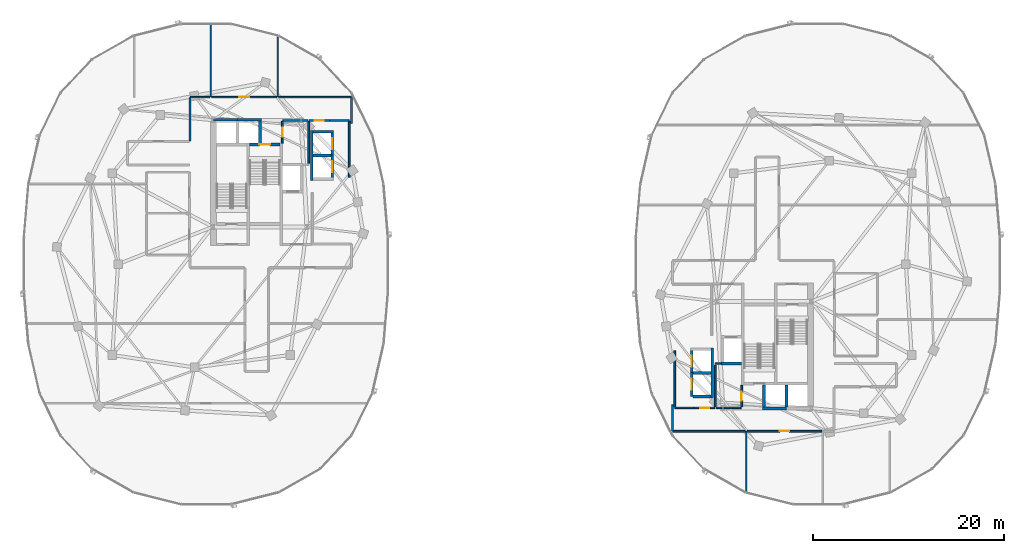
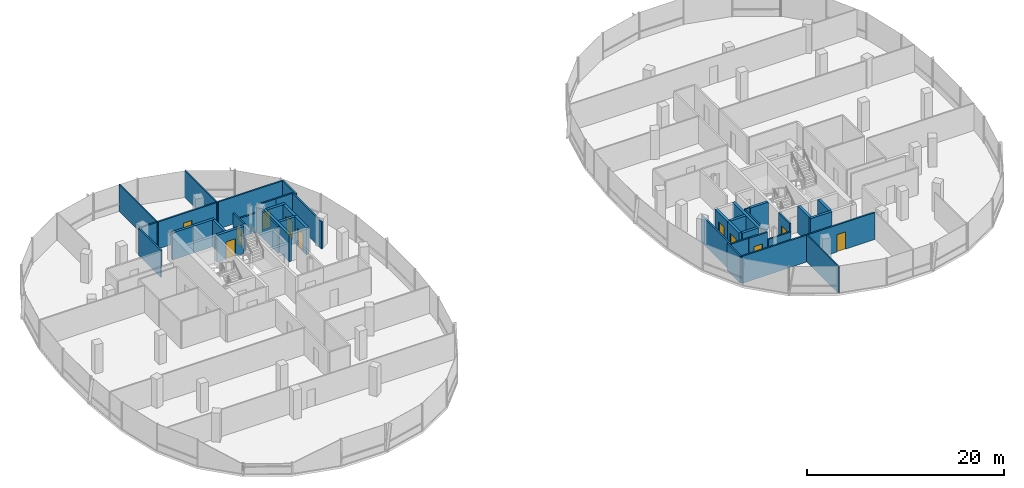
# One storey, part 16 of 25: 42 walls, 11 doors, 11 openings.
"""IFC4 building model written with IfcOpenShell, lengths in metres."""

from ifc_helpers import new_model, si_unit, direction, frame, frame_2d, origin, place, context, subcontext, project, spatial, rectangle, extrude, material, layer, layer_set, type_object, element, fill, save


model = new_model("IFC4")

# Units and contexts
model_context = context("Model", 3, precision=1e-05, world=origin(), true_north=direction((0.0, 1.0)))
body_context = subcontext(model_context, "Body", "Model", "MODEL_VIEW")
ifc_project = project(units=[si_unit("LENGTHUNIT", "METRE"), si_unit("AREAUNIT", "SQUARE_METRE"), si_unit("VOLUMEUNIT", "CUBIC_METRE"), si_unit("PLANEANGLEUNIT", "RADIAN"), si_unit("MASSUNIT", "GRAM", prefix="KILO"), si_unit("THERMODYNAMICTEMPERATUREUNIT", "KELVIN"), si_unit("POWERUNIT", "WATT")], contexts=[model_context])

# Site, building, storey
site_placement = place(None, origin())
site = spatial("IfcSite", under=ifc_project, at=site_placement, CompositionType="ELEMENT")
building_placement = place(site_placement, origin())
building = spatial("IfcBuilding", under=site, at=building_placement, Name="Cundina Bronze Exchange", CompositionType="ELEMENT")
storey_placement = place(building_placement, frame((0.0, 0.0, 224.199951171875)))
storey = spatial("IfcBuildingStorey", under=building, at=storey_placement, Name="L59", CompositionType="ELEMENT", Elevation=224.199951171875)

# Wall
ifc_material_1 = material(Name="Gypsum Fireboard Partition EI120")
ifc_layer_1 = layer(ifc_material_1, 0.179931640625, Name="Gypsum Fireboard Partition EI120")
ifc_layer_set_1 = layer_set([ifc_layer_1], Name="Gypsum Fireboard Partition EI120")
wall_type_1 = type_object("IfcWallType", Name="WL-COR-180", PredefinedType="PARTITIONING", material=ifc_layer_set_1)
wall_1_placement = place(storey_placement, frame((-17.02001953125, 9.070068359375, 0.0), z_axis=(0.0, 0.0, 1.0), x_axis=(0.0, 1.0, 0.0)))
element("IfcWall", 1, at=wall_1_placement, inside=storey, type_object=wall_type_1, Name="L59 Interior Partition 001", PredefinedType="PARTITIONING", context=body_context, shape_type="SweptSolid", body=[
    extrude(rectangle(XDim=5.85986328125, YDim=0.179931640625, at=frame_2d((2.929931640625, 0.0))), origin(), (0.0, 0.0, 1.0), 3.340087890625),
])

# Wall, opening, door
wall_2_placement = place(storey_placement, frame((-21.22998046875, 15.030029296875, 0.0), z_axis=(0.0, 0.0, 1.0), x_axis=(1.0, 0.0, 0.0)))
wall_2 = element("IfcWall", 2, at=wall_2_placement, inside=storey, type_object=wall_type_1, Name="L59 Interior Partition 002", PredefinedType="PARTITIONING", context=body_context, shape_type="SweptSolid", body=[
    extrude(rectangle(XDim=2.159912109375, YDim=0.179931640625, at=frame_2d((1.080078125, 0.0))), origin(), (0.0, 0.0, 1.0), 3.340087890625),
])
opening_1_placement = place(wall_2_placement, frame((0.60498046875, 0.0, 0.0)))
opening_1 = element("IfcOpeningElement", 3, at=opening_1_placement, cuts=wall_2, Name="Opening DW-01", PredefinedType="OPENING", context=body_context, shape_type="SweptSolid", body=[
    extrude(rectangle(XDim=0.949951171875, YDim=2.10009765625, at=frame_2d((0.47509765625, 1.050048828125))), frame((0.0, 0.099853515625, 0.0), z_axis=(0.0, -1.0, 0.0), x_axis=(1.0, 0.0, 0.0)), (0.0, 0.0, 1.0), 0.199951171875),
])
ifc_material_2 = material(Name="Solid Andean Oak Timber Grade A", Category="wood")
door_type_1 = type_object("IfcDoorType", Name="DR-WC-950", OperationType="NOTDEFINED", PredefinedType="DOOR", material=ifc_material_2)
door_1_placement = place(opening_1_placement, origin())
door_1 = element("IfcDoor", 4, at=door_1_placement, inside=storey, type_object=door_type_1, Name="L59 Interior Door 002", OperationType="SINGLE_SWING_LEFT", OverallHeight=2.10009765625, OverallWidth=0.949951171875, PredefinedType="DOOR", context=body_context, shape_type="SweptSolid", body=[
    extrude(rectangle(XDim=0.949951171875, YDim=2.10009765625, at=frame_2d((0.47509765625, 1.050048828125))), frame((0.0, 0.02490234375, 0.0), z_axis=(0.0, -1.0, 0.0), x_axis=(1.0, 0.0, 0.0)), (0.0, 0.0, 1.0), 0.050048828125),
])
fill(opening_1, door_1)

# Walls
wall_3_placement = place(storey_placement, frame((-19.030029296875, 15.030029296875, 0.0), z_axis=(0.0, 0.0, 1.0), x_axis=(1.0, 0.0, 0.0)))
element("IfcWall", 5, at=wall_3_placement, inside=storey, type_object=wall_type_1, Name="L59 Interior Partition 003", PredefinedType="PARTITIONING", context=body_context, shape_type="SweptSolid", body=[
    extrude(rectangle(XDim=1.989990234375, YDim=0.179931640625, at=frame_2d((0.9951171875, 0.0))), origin(), (0.0, 0.0, 1.0), 3.340087890625),
])
wall_4_placement = place(storey_placement, frame((-21.25, 10.570068359375, 0.0), z_axis=(0.0, 0.0, 1.0), x_axis=(0.0, 1.0, 0.0)))
element("IfcWall", 6, at=wall_4_placement, inside=storey, type_object=wall_type_1, Name="L59 Interior Partition 005", PredefinedType="PARTITIONING", context=body_context, shape_type="SweptSolid", body=[
    extrude(rectangle(XDim=4.35986328125, YDim=0.179931640625, at=frame_2d((2.179931640625, 0.0))), origin(), (0.0, 0.0, 1.0), 3.340087890625),
])
wall_5_placement = place(storey_placement, frame((-23.9599609375, 15.030029296875, 0.0), z_axis=(0.0, 0.0, 1.0), x_axis=(1.0, 0.0, 0.0)))
element("IfcWall", 7, at=wall_5_placement, inside=storey, type_object=wall_type_1, Name="L59 Interior Partition 006", PredefinedType="PARTITIONING", context=body_context, shape_type="SweptSolid", body=[
    extrude(rectangle(XDim=2.60986328125, YDim=0.179931640625, at=frame_2d((1.304931640625, 0.0))), origin(), (0.0, 0.0, 1.0), 2.4130859375),
])

# Wall, opening, door
wall_6_placement = place(storey_placement, frame((-24.02001953125, 12.669921875, 0.0), z_axis=(0.0, 0.0, 1.0), x_axis=(0.0, 1.0, 0.0)))
wall_6 = element("IfcWall", 8, at=wall_6_placement, inside=storey, type_object=wall_type_1, Name="L59 Interior Partition 007", PredefinedType="PARTITIONING", context=body_context, shape_type="SweptSolid", body=[
    extrude(rectangle(XDim=2.260009765625, YDim=0.179931640625, at=frame_2d((1.1298828125, 0.0))), origin(), (0.0, 0.0, 1.0), 3.340087890625),
])
opening_2_placement = place(wall_6_placement, frame((0.655029296875, 0.0, 0.0)))
opening_2 = element("IfcOpeningElement", 9, at=opening_2_placement, cuts=wall_6, Name="Opening DW-01", PredefinedType="OPENING", context=body_context, shape_type="SweptSolid", body=[
    extrude(rectangle(XDim=0.949951171875, YDim=2.10009765625, at=frame_2d((0.47509765625, 1.050048828125))), frame((0.0, 0.099853515625, 0.0), z_axis=(0.0, -1.0, 0.0), x_axis=(1.0, 0.0, 0.0)), (0.0, 0.0, 1.0), 0.199951171875),
])
door_2_placement = place(opening_2_placement, origin())
door_2 = element("IfcDoor", 10, at=door_2_placement, inside=storey, type_object=door_type_1, Name="L59 Interior Door 007", OperationType="SINGLE_SWING_LEFT", OverallHeight=2.10009765625, OverallWidth=0.949951171875, PredefinedType="DOOR", context=body_context, shape_type="SweptSolid", body=[
    extrude(rectangle(XDim=0.949951171875, YDim=2.10009765625, at=frame_2d((0.47509765625, 1.050048828125))), frame((0.0, 0.02490234375, 0.0), z_axis=(0.0, -1.0, 0.0), x_axis=(1.0, 0.0, 0.0)), (0.0, 0.0, 1.0), 0.050048828125),
])
fill(opening_2, door_2)

# Walls
wall_7_placement = place(storey_placement, frame((-16.821533203125, 17.469970703125, 0.0), z_axis=(0.0, 0.0, 1.0), x_axis=(-1.0, 0.0, 0.0)))
element("IfcWall", 11, at=wall_7_placement, inside=storey, type_object=wall_type_1, Name="L59 Interior Partition 029", PredefinedType="PARTITIONING", context=body_context, shape_type="SweptSolid", body=[
    extrude(rectangle(XDim=7.58837890625, YDim=0.179931640625, at=frame_2d((3.794189453125, 0.0))), origin(), (0.0, 0.0, 1.0), 3.340087890625),
])
wall_8_placement = place(storey_placement, frame((-16.780029296875, 14.721435546875, 0.0), z_axis=(0.0, 0.0, 1.0), x_axis=(0.0, 1.0, 0.0)))
element("IfcWall", 12, at=wall_8_placement, inside=storey, type_object=wall_type_1, Name="L59 Interior Partition 032", PredefinedType="PARTITIONING", context=body_context, shape_type="SweptSolid", body=[
    extrude(rectangle(XDim=2.70703125, YDim=0.179931640625, at=frame_2d((1.353515625, 0.0))), origin(), (0.0, 0.0, 1.0), 3.340087890625),
])
wall_9_placement = place(storey_placement, frame((-33.669921875, 17.428466796875, 0.0), z_axis=(0.0, 0.0, 1.0), x_axis=(0.0, -1.0, 0.0)))
element("IfcWall", 13, at=wall_9_placement, inside=storey, type_object=wall_type_1, Name="L59 Interior Partition 036", PredefinedType="PARTITIONING", context=body_context, shape_type="SweptSolid", body=[
    extrude(rectangle(XDim=4.528564453125, YDim=0.179931640625, at=frame_2d((2.26416015625, 0.0))), origin(), (0.0, 0.0, 1.0), 3.340087890625),
])
wall_10_placement = place(storey_placement, frame((-31.590087890625, 17.469970703125, 0.0), z_axis=(0.0, 0.0, 1.0), x_axis=(-1.0, 0.0, 0.0)))
element("IfcWall", 14, at=wall_10_placement, inside=storey, type_object=wall_type_1, Name="L59 Interior Partition 038", PredefinedType="PARTITIONING", context=body_context, shape_type="SweptSolid", body=[
    extrude(rectangle(XDim=2.038330078125, YDim=0.179931640625, at=frame_2d((1.01904296875, 0.0))), origin(), (0.0, 0.0, 1.0), 3.340087890625),
])

# Wall, opening, door
wall_11_placement = place(storey_placement, frame((-24.590087890625, 17.469970703125, 0.0), z_axis=(0.0, 0.0, 1.0), x_axis=(-1.0, 0.0, 0.0)))
wall_11 = element("IfcWall", 15, at=wall_11_placement, inside=storey, type_object=wall_type_1, Name="L59 Interior Partition 039", PredefinedType="PARTITIONING", context=body_context, shape_type="SweptSolid", body=[
    extrude(rectangle(XDim=6.81982421875, YDim=0.179931640625, at=frame_2d((3.409912109375, 0.0))), origin(), (0.0, 0.0, 1.0), 3.340087890625),
])
opening_3_placement = place(wall_11_placement, frame((2.909912109375, 0.0, 0.0)))
opening_3 = element("IfcOpeningElement", 16, at=opening_3_placement, cuts=wall_11, Name="Opening DO-01", PredefinedType="OPENING", context=body_context, shape_type="SweptSolid", body=[
    extrude(rectangle(XDim=1.0, YDim=2.14990234375, at=frame_2d((0.5, 1.074951171875))), frame((0.0, 0.099853515625, 0.0), z_axis=(0.0, -1.0, 0.0), x_axis=(1.0, 0.0, 0.0)), (0.0, 0.0, 1.0), 0.199951171875),
])
door_type_2 = type_object("IfcDoorType", Name="DR-OFF-1000", OperationType="NOTDEFINED", PredefinedType="DOOR", material=ifc_material_2)
door_3_placement = place(opening_3_placement, origin())
door_3 = element("IfcDoor", 17, at=door_3_placement, inside=storey, type_object=door_type_2, Name="L59 Interior Door 039", OperationType="SINGLE_SWING_RIGHT", OverallHeight=2.14990234375, OverallWidth=1.0, PredefinedType="DOOR", context=body_context, shape_type="SweptSolid", body=[
    extrude(rectangle(XDim=1.0, YDim=2.14990234375, at=frame_2d((0.5, 1.074951171875))), frame((0.0, 0.02490234375, 0.0), z_axis=(0.0, -1.0, 0.0), x_axis=(1.0, 0.0, 0.0)), (0.0, 0.0, 1.0), 0.050048828125),
])
fill(opening_3, door_3)

# Walls
wall_12_placement = place(storey_placement, frame((17.02001953125, -14.929931640625, 0.0), z_axis=(0.0, 0.0, 1.0), x_axis=(0.0, 1.0, 0.0)))
element("IfcWall", 18, at=wall_12_placement, inside=storey, type_object=wall_type_1, Name="L59 Interior Partition 041", PredefinedType="PARTITIONING", context=body_context, shape_type="SweptSolid", body=[
    extrude(rectangle(XDim=5.85986328125, YDim=0.179931640625, at=frame_2d((2.929931640625, 0.0))), origin(), (0.0, 0.0, 1.0), 3.340087890625),
])
wall_13_placement = place(storey_placement, frame((17.0400390625, -15.030029296875, 0.0), z_axis=(0.0, 0.0, 1.0), x_axis=(1.0, 0.0, 0.0)))
element("IfcWall", 19, at=wall_13_placement, inside=storey, type_object=wall_type_1, Name="L59 Interior Partition 042", PredefinedType="PARTITIONING", context=body_context, shape_type="SweptSolid", body=[
    extrude(rectangle(XDim=1.989990234375, YDim=0.179931640625, at=frame_2d((0.9951171875, 0.0))), origin(), (0.0, 0.0, 1.0), 3.340087890625),
])

# Wall, opening, door
wall_14_placement = place(storey_placement, frame((21.22998046875, -15.030029296875, 0.0), z_axis=(0.0, 0.0, 1.0), x_axis=(-1.0, 0.0, 0.0)))
wall_14 = element("IfcWall", 20, at=wall_14_placement, inside=storey, type_object=wall_type_1, Name="L59 Interior Partition 043", PredefinedType="PARTITIONING", context=body_context, shape_type="SweptSolid", body=[
    extrude(rectangle(XDim=2.159912109375, YDim=0.179931640625, at=frame_2d((1.080078125, 0.0))), origin(), (0.0, 0.0, 1.0), 3.340087890625),
])
opening_4_placement = place(wall_14_placement, frame((0.60498046875, 0.0, 0.0)))
opening_4 = element("IfcOpeningElement", 21, at=opening_4_placement, cuts=wall_14, Name="Opening DW-01", PredefinedType="OPENING", context=body_context, shape_type="SweptSolid", body=[
    extrude(rectangle(XDim=0.949951171875, YDim=2.10009765625, at=frame_2d((0.47509765625, 1.050048828125))), frame((0.0, 0.099853515625, 0.0), z_axis=(0.0, -1.0, 0.0), x_axis=(1.0, 0.0, 0.0)), (0.0, 0.0, 1.0), 0.199951171875),
])
door_4_placement = place(opening_4_placement, origin())
door_4 = element("IfcDoor", 22, at=door_4_placement, inside=storey, type_object=door_type_1, Name="L59 Interior Door 043", OperationType="SINGLE_SWING_RIGHT", OverallHeight=2.10009765625, OverallWidth=0.949951171875, PredefinedType="DOOR", context=body_context, shape_type="SweptSolid", body=[
    extrude(rectangle(XDim=0.949951171875, YDim=2.10009765625, at=frame_2d((0.47509765625, 1.050048828125))), frame((0.0, 0.02490234375, 0.0), z_axis=(0.0, -1.0, 0.0), x_axis=(1.0, 0.0, 0.0)), (0.0, 0.0, 1.0), 0.050048828125),
])
fill(opening_4, door_4)

# Walls
wall_15_placement = place(storey_placement, frame((21.25, -14.929931640625, 0.0), z_axis=(0.0, 0.0, 1.0), x_axis=(0.0, 1.0, 0.0)))
element("IfcWall", 23, at=wall_15_placement, inside=storey, type_object=wall_type_1, Name="L59 Interior Partition 045", PredefinedType="PARTITIONING", context=body_context, shape_type="SweptSolid", body=[
    extrude(rectangle(XDim=4.35986328125, YDim=0.179931640625, at=frame_2d((2.179931640625, 0.0))), origin(), (0.0, 0.0, 1.0), 3.340087890625),
])
wall_16_placement = place(storey_placement, frame((21.35009765625, -15.030029296875, 0.0), z_axis=(0.0, 0.0, 1.0), x_axis=(1.0, 0.0, 0.0)))
element("IfcWall", 24, at=wall_16_placement, inside=storey, type_object=wall_type_1, Name="L59 Interior Partition 046", PredefinedType="PARTITIONING", context=body_context, shape_type="SweptSolid", body=[
    extrude(rectangle(XDim=2.60986328125, YDim=0.179931640625, at=frame_2d((1.304931640625, 0.0))), origin(), (0.0, 0.0, 1.0), 2.4130859375),
])

# Wall, opening, door
wall_17_placement = place(storey_placement, frame((24.02001953125, -14.929931640625, 0.0), z_axis=(0.0, 0.0, 1.0), x_axis=(0.0, 1.0, 0.0)))
wall_17 = element("IfcWall", 25, at=wall_17_placement, inside=storey, type_object=wall_type_1, Name="L59 Interior Partition 047", PredefinedType="PARTITIONING", context=body_context, shape_type="SweptSolid", body=[
    extrude(rectangle(XDim=2.260009765625, YDim=0.179931640625, at=frame_2d((1.1298828125, 0.0))), origin(), (0.0, 0.0, 1.0), 3.340087890625),
])
opening_5_placement = place(wall_17_placement, frame((0.655029296875, 0.0, 0.0)))
opening_5 = element("IfcOpeningElement", 26, at=opening_5_placement, cuts=wall_17, Name="Opening DW-01", PredefinedType="OPENING", context=body_context, shape_type="SweptSolid", body=[
    extrude(rectangle(XDim=0.949951171875, YDim=2.10009765625, at=frame_2d((0.47509765625, 1.050048828125))), frame((0.0, 0.099853515625, 0.0), z_axis=(0.0, -1.0, 0.0), x_axis=(1.0, 0.0, 0.0)), (0.0, 0.0, 1.0), 0.199951171875),
])
door_5_placement = place(opening_5_placement, origin())
door_5 = element("IfcDoor", 27, at=door_5_placement, inside=storey, type_object=door_type_1, Name="L59 Interior Door 047", OperationType="SINGLE_SWING_RIGHT", OverallHeight=2.10009765625, OverallWidth=0.949951171875, PredefinedType="DOOR", context=body_context, shape_type="SweptSolid", body=[
    extrude(rectangle(XDim=0.949951171875, YDim=2.10009765625, at=frame_2d((0.47509765625, 1.050048828125))), frame((0.0, 0.02490234375, 0.0), z_axis=(0.0, -1.0, 0.0), x_axis=(1.0, 0.0, 0.0)), (0.0, 0.0, 1.0), 0.050048828125),
])
fill(opening_5, door_5)

wall_18_placement = place(storey_placement, frame((24.590087890625, -17.469970703125, 0.0), z_axis=(0.0, 0.0, 1.0), x_axis=(1.0, 0.0, 0.0)))
wall_18 = element("IfcWall", 28, at=wall_18_placement, inside=storey, type_object=wall_type_1, Name="L59 Interior Partition 061", PredefinedType="PARTITIONING", context=body_context, shape_type="SweptSolid", body=[
    extrude(rectangle(XDim=7.81982421875, YDim=0.179931640625, at=frame_2d((3.909912109375, 0.0))), origin(), (0.0, 0.0, 1.0), 3.340087890625),
])
opening_6_placement = place(wall_18_placement, frame((3.409912109375, 0.0, 0.0)))
opening_6 = element("IfcOpeningElement", 29, at=opening_6_placement, cuts=wall_18, Name="Opening DO-01", PredefinedType="OPENING", context=body_context, shape_type="SweptSolid", body=[
    extrude(rectangle(XDim=1.0, YDim=2.14990234375, at=frame_2d((0.5, 1.074951171875))), frame((0.0, 0.099853515625, 0.0), z_axis=(0.0, -1.0, 0.0), x_axis=(1.0, 0.0, 0.0)), (0.0, 0.0, 1.0), 0.199951171875),
])
door_6_placement = place(opening_6_placement, origin())
door_6 = element("IfcDoor", 30, at=door_6_placement, inside=storey, type_object=door_type_2, Name="L59 Interior Door 061", OperationType="SINGLE_SWING_LEFT", OverallHeight=2.14990234375, OverallWidth=1.0, PredefinedType="DOOR", context=body_context, shape_type="SweptSolid", body=[
    extrude(rectangle(XDim=1.0, YDim=2.14990234375, at=frame_2d((0.5, 1.074951171875))), frame((0.0, 0.02490234375, 0.0), z_axis=(0.0, -1.0, 0.0), x_axis=(1.0, 0.0, 0.0)), (0.0, 0.0, 1.0), 0.050048828125),
])
fill(opening_6, door_6)

# Walls
wall_19_placement = place(storey_placement, frame((16.821533203125, -17.469970703125, 0.0), z_axis=(0.0, 0.0, 1.0), x_axis=(1.0, 0.0, 0.0)))
element("IfcWall", 31, at=wall_19_placement, inside=storey, type_object=wall_type_1, Name="L59 Interior Partition 068", PredefinedType="PARTITIONING", context=body_context, shape_type="SweptSolid", body=[
    extrude(rectangle(XDim=7.58837890625, YDim=0.179931640625, at=frame_2d((3.794189453125, 0.0))), origin(), (0.0, 0.0, 1.0), 3.340087890625),
])
wall_20_placement = place(storey_placement, frame((16.780029296875, -14.721435546875, 0.0), z_axis=(0.0, 0.0, 1.0), x_axis=(0.0, -1.0, 0.0)))
element("IfcWall", 32, at=wall_20_placement, inside=storey, type_object=wall_type_1, Name="L59 Interior Partition 071", PredefinedType="PARTITIONING", context=body_context, shape_type="SweptSolid", body=[
    extrude(rectangle(XDim=2.70703125, YDim=0.179931640625, at=frame_2d((1.353515625, 0.0))), origin(), (0.0, 0.0, 1.0), 3.340087890625),
])
ifc_material_3 = material(Name="Gypsum Acoustic Partition EI60")
ifc_layer_2 = layer(ifc_material_3, 0.125, Name="Gypsum Acoustic Partition EI60")
ifc_layer_set_2 = layer_set([ifc_layer_2], Name="Gypsum Acoustic Partition EI60")
wall_type_2 = type_object("IfcWallType", Name="WL-OFF-125", PredefinedType="PARTITIONING", material=ifc_layer_set_2)
wall_21_placement = place(storey_placement, frame((-31.5, 17.5, 0.0), z_axis=(0.0, 0.0, 1.0), x_axis=(0.0, 1.0, 0.0)))
element("IfcWall", 33, at=wall_21_placement, inside=storey, type_object=wall_type_2, Name="L59 Interior Partition 020", PredefinedType="PARTITIONING", context=body_context, shape_type="SweptSolid", body=[
    extrude(rectangle(XDim=7.68994140625, YDim=0.125, at=frame_2d((3.844970703125, 0.0))), origin(), (0.0, 0.0, 1.0), 3.340087890625),
])
for number, where, z_axis, x_axis, name in (
    (34, (-24.5, 17.5, 0.0), (0.0, 0.0, 1.0), (0.0, 1.0, 0.0), "L59 Interior Partition 021"),
    (35, (24.5, -23.962646484375, 0.0), (0.0, 0.0, 1.0), (0.0, 1.0, 0.0), "L59 Interior Partition 058"),
):
    element("IfcWall", number, at=place(storey_placement, frame(where, z_axis=z_axis, x_axis=x_axis)), inside=storey, type_object=wall_type_2, Name=name, PredefinedType="PARTITIONING", context=body_context, shape_type="SweptSolid", body=[
        extrude(rectangle(XDim=6.462646484375, YDim=0.125, at=frame_2d((3.2314453125, 0.0))), origin(), (0.0, 0.0, 1.0), 3.340087890625),
    ])

# Wall, opening, door
ifc_material_4 = material(Name="Concrete C50/60", Category="concrete")
ifc_layer_3 = layer(ifc_material_4, 0.300048828125, Name="Concrete C50/60", Category="concrete")
ifc_layer_set_3 = layer_set([ifc_layer_3], Name="Concrete C50/60")
wall_type_3 = type_object("IfcWallType", Name="WL-SHFT-300", PredefinedType="SHEAR", material=ifc_layer_set_3)
wall_22_placement = place(storey_placement, frame((-27.43994140625, 12.5, 0.0), z_axis=(0.0, 0.0, 1.0), x_axis=(1.0, 0.0, 0.0)))
wall_22 = element("IfcWall", 36, at=wall_22_placement, inside=storey, type_object=wall_type_3, Name="L59 Stair W2 Landing Wall", PredefinedType="SHEAR", context=body_context, shape_type="SweptSolid", body=[
    extrude(rectangle(XDim=3.159912109375, YDim=0.300048828125, at=frame_2d((1.580078125, 0.0))), origin(), (0.0, 0.0, 1.0), 3.340087890625),
])
opening_7_placement = place(wall_22_placement, frame((1.030029296875, 0.0, 0.0)))
opening_7 = element("IfcOpeningElement", 37, at=opening_7_placement, cuts=wall_22, Name="Opening DS-01", PredefinedType="OPENING", context=body_context, shape_type="SweptSolid", body=[
    extrude(rectangle(XDim=1.10009765625, YDim=2.14990234375, at=frame_2d((0.550048828125, 1.074951171875))), frame((0.0, 0.159912109375, 0.0), z_axis=(0.0, -1.0, 0.0), x_axis=(1.0, 0.0, 0.0)), (0.0, 0.0, 1.0), 0.320068359375),
])
ifc_material_5 = material(Name="Steel ASTM A36 Painted", Category="steel")
door_type_3 = type_object("IfcDoorType", Name="DR-STR-1100", OperationType="NOTDEFINED", PredefinedType="DOOR", material=ifc_material_5)
door_7_placement = place(opening_7_placement, origin())
door_7 = element("IfcDoor", 38, at=door_7_placement, inside=storey, type_object=door_type_3, Name="L59 Smokeproof Stair W2 Door", OperationType="SINGLE_SWING_LEFT", OverallHeight=2.14990234375, OverallWidth=1.10009765625, PredefinedType="DOOR", context=body_context, shape_type="SweptSolid", body=[
    extrude(rectangle(XDim=1.10009765625, YDim=2.14990234375, at=frame_2d((0.550048828125, 1.074951171875))), frame((0.0, 0.02490234375, 0.0), z_axis=(0.0, -1.0, 0.0), x_axis=(1.0, 0.0, 0.0)), (0.0, 0.0, 1.0), 0.050048828125),
])
fill(opening_7, door_7)

# Walls
for number, where, z_axis, x_axis, name in (
    (39, (-31.199951171875, 15.10009765625, 0.0), (0.0, 0.0, 1.0), (1.0, 0.0, 0.0), "L59 PH-W1 Hoistway Front Wall"),
    (40, (-28.699951171875, 15.10009765625, 0.0), (0.0, 0.0, 1.0), (1.0, 0.0, 0.0), "L59 PH-W2 Hoistway Front Wall"),
):
    element("IfcWall", number, at=place(storey_placement, frame(where, z_axis=z_axis, x_axis=x_axis)), inside=storey, type_object=wall_type_3, Name=name, PredefinedType="SHEAR", context=body_context, shape_type="SweptSolid", body=[
        extrude(rectangle(XDim=2.5, YDim=0.300048828125, at=frame_2d((1.25, 0.0))), origin(), (0.0, 0.0, 1.0), 3.340087890625),
    ])
wall_23_placement = place(storey_placement, frame((-26.35009765625, 12.64990234375, 0.0), z_axis=(0.0, 0.0, 1.0), x_axis=(0.0, 1.0, 0.0)))
element("IfcWall", 41, at=wall_23_placement, inside=storey, type_object=wall_type_3, Name="L59 PH-W2 Hoistway Divider Wall", PredefinedType="SHEAR", context=body_context, shape_type="SweptSolid", body=[
    extrude(rectangle(XDim=2.300048828125, YDim=0.300048828125, at=frame_2d((1.14990234375, 0.0))), origin(), (0.0, 0.0, 1.0), 3.340087890625),
])
wall_24_placement = place(storey_placement, frame((-20.949951171875, 8.75, 0.0), z_axis=(0.0, 0.0, 1.0), x_axis=(0.0, 1.0, 0.0)))
element("IfcWall", 42, at=wall_24_placement, inside=storey, type_object=wall_type_3, Name="L59 W Passenger Bank Hoistway Back Wall", PredefinedType="SHEAR", context=body_context, shape_type="SweptSolid", body=[
    extrude(rectangle(XDim=5.25, YDim=0.300048828125, at=frame_2d((2.625, 0.0))), origin(), (0.0, 0.0, 1.0), 3.340087890625),
])
wall_25_placement = place(storey_placement, frame((-20.800048828125, 13.85009765625, 0.0), z_axis=(0.0, 0.0, 1.0), x_axis=(1.0, 0.0, 0.0)))
element("IfcWall", 43, at=wall_25_placement, inside=storey, type_object=wall_type_3, Name="L59 W Passenger Bank North Cap Wall", PredefinedType="SHEAR", context=body_context, shape_type="SweptSolid", body=[
    extrude(rectangle(XDim=2.150146484375, YDim=0.300048828125, at=frame_2d((1.0751953125, 0.0))), origin(), (0.0, 0.0, 1.0), 3.340087890625),
])
wall_26_placement = place(storey_placement, frame((-20.800048828125, 11.375, 0.0), z_axis=(0.0, 0.0, 1.0), x_axis=(1.0, 0.0, 0.0)))
element("IfcWall", 44, at=wall_26_placement, inside=storey, type_object=wall_type_3, Name="L59 W Passenger Hoistway Divider 1", PredefinedType="SHEAR", context=body_context, shape_type="SweptSolid", body=[
    extrude(rectangle(XDim=1.85009765625, YDim=0.300048828125, at=frame_2d((0.925048828125, 0.0))), origin(), (0.0, 0.0, 1.0), 3.340087890625),
])

# Wall, opening, door
wall_27_placement = place(storey_placement, frame((-18.800048828125, 8.929931640625, 0.0), z_axis=(0.0, 0.0, 1.0), x_axis=(0.0, 1.0, 0.0)))
wall_27 = element("IfcWall", 45, at=wall_27_placement, inside=storey, type_object=wall_type_3, Name="L59 PM-W2 Hoistway Front Wall", PredefinedType="SHEAR", context=body_context, shape_type="SweptSolid", body=[
    extrude(rectangle(XDim=2.489990234375, YDim=0.300048828125, at=frame_2d((1.2451171875, 0.0))), origin(), (0.0, 0.0, 1.0), 3.340087890625),
])
opening_8_placement = place(wall_27_placement, frame((0.669921875, 0.0, 0.0)))
opening_8 = element("IfcOpeningElement", 46, at=opening_8_placement, cuts=wall_27, Name="Opening LD-01", PredefinedType="OPENING", context=body_context, shape_type="SweptSolid", body=[
    extrude(rectangle(XDim=1.14990234375, YDim=2.199951171875, at=frame_2d((0.574951171875, 1.10009765625))), frame((0.0, 0.159912109375, 0.0), z_axis=(0.0, -1.0, 0.0), x_axis=(1.0, 0.0, 0.0)), (0.0, 0.0, 1.0), 0.320068359375),
])
door_type_4 = type_object("IfcDoorType", Name="DR-LND-1150", OperationType="NOTDEFINED", PredefinedType="TRAPDOOR", material=ifc_material_5)
door_8_placement = place(opening_8_placement, origin())
door_8 = element("IfcDoor", 47, at=door_8_placement, inside=storey, type_object=door_type_4, Name="L59 PM-W2 Sliding Landing Door", OperationType="SLIDING_TO_LEFT", OverallHeight=2.199951171875, OverallWidth=1.14990234375, PredefinedType="TRAPDOOR", context=body_context, shape_type="SweptSolid", body=[
    extrude(rectangle(XDim=1.14990234375, YDim=2.199951171875, at=frame_2d((0.574951171875, 1.10009765625))), frame((0.0, 0.02490234375, 0.0), z_axis=(0.0, -1.0, 0.0), x_axis=(1.0, 0.0, 0.0)), (0.0, 0.0, 1.0), 0.050048828125),
])
fill(opening_8, door_8)

wall_28_placement = place(storey_placement, frame((-18.800048828125, 11.330078125, 0.0), z_axis=(0.0, 0.0, 1.0), x_axis=(0.0, 1.0, 0.0)))
wall_28 = element("IfcWall", 48, at=wall_28_placement, inside=storey, type_object=wall_type_3, Name="L59 PM-W1 Hoistway Front Wall", PredefinedType="SHEAR", context=body_context, shape_type="SweptSolid", body=[
    extrude(rectangle(XDim=2.489990234375, YDim=0.300048828125, at=frame_2d((1.2451171875, 0.0))), origin(), (0.0, 0.0, 1.0), 3.340087890625),
])
opening_9_placement = place(wall_28_placement, frame((0.669921875, 0.0, 0.0)))
opening_9 = element("IfcOpeningElement", 49, at=opening_9_placement, cuts=wall_28, Name="Opening LD-01", PredefinedType="OPENING", context=body_context, shape_type="SweptSolid", body=[
    extrude(rectangle(XDim=1.14990234375, YDim=2.199951171875, at=frame_2d((0.574951171875, 1.10009765625))), frame((0.0, 0.159912109375, 0.0), z_axis=(0.0, -1.0, 0.0), x_axis=(1.0, 0.0, 0.0)), (0.0, 0.0, 1.0), 0.320068359375),
])
door_9_placement = place(opening_9_placement, origin())
door_9 = element("IfcDoor", 50, at=door_9_placement, inside=storey, type_object=door_type_4, Name="L59 PM-W1 Sliding Landing Door", OperationType="SLIDING_TO_LEFT", OverallHeight=2.199951171875, OverallWidth=1.14990234375, PredefinedType="TRAPDOOR", context=body_context, shape_type="SweptSolid", body=[
    extrude(rectangle(XDim=1.14990234375, YDim=2.199951171875, at=frame_2d((0.574951171875, 1.10009765625))), frame((0.0, 0.02490234375, 0.0), z_axis=(0.0, -1.0, 0.0), x_axis=(1.0, 0.0, 0.0)), (0.0, 0.0, 1.0), 0.050048828125),
])
fill(opening_9, door_9)

# Walls
wall_29_placement = place(storey_placement, frame((21.8798828125, -10.39990234375, 0.0), z_axis=(0.0, 0.0, 1.0), x_axis=(1.0, 0.0, 0.0)))
element("IfcWall", 51, at=wall_29_placement, inside=storey, type_object=wall_type_3, Name="L59 FFL-E Hoistway Back Wall", PredefinedType="SHEAR", context=body_context, shape_type="SweptSolid", body=[
    extrude(rectangle(XDim=2.10009765625, YDim=0.300048828125, at=frame_2d((1.050048828125, 0.0))), origin(), (0.0, 0.0, 1.0), 3.340087890625),
])
wall_30_placement = place(storey_placement, frame((28.699951171875, -14.949951171875, 0.0), z_axis=(0.0, 0.0, 1.0), x_axis=(0.0, 1.0, 0.0)))
element("IfcWall", 52, at=wall_30_placement, inside=storey, type_object=wall_type_3, Name="L59 PH-E1 Hoistway Divider Wall", PredefinedType="SHEAR", context=body_context, shape_type="SweptSolid", body=[
    extrude(rectangle(XDim=2.300048828125, YDim=0.300048828125, at=frame_2d((1.14990234375, 0.0))), origin(), (0.0, 0.0, 1.0), 3.340087890625),
])
wall_31_placement = place(storey_placement, frame((26.199951171875, -15.10009765625, 0.0), z_axis=(0.0, 0.0, 1.0), x_axis=(1.0, 0.0, 0.0)))
element("IfcWall", 53, at=wall_31_placement, inside=storey, type_object=wall_type_3, Name="L59 PH-E2 Hoistway Front Wall", PredefinedType="SHEAR", context=body_context, shape_type="SweptSolid", body=[
    extrude(rectangle(XDim=2.5, YDim=0.300048828125, at=frame_2d((1.25, 0.0))), origin(), (0.0, 0.0, 1.0), 3.340087890625),
])
wall_32_placement = place(storey_placement, frame((26.35009765625, -14.949951171875, 0.0), z_axis=(0.0, 0.0, 1.0), x_axis=(0.0, 1.0, 0.0)))
element("IfcWall", 54, at=wall_32_placement, inside=storey, type_object=wall_type_3, Name="L59 PH-E2 Hoistway Divider Wall", PredefinedType="SHEAR", context=body_context, shape_type="SweptSolid", body=[
    extrude(rectangle(XDim=2.300048828125, YDim=0.300048828125, at=frame_2d((1.14990234375, 0.0))), origin(), (0.0, 0.0, 1.0), 3.340087890625),
])
wall_33_placement = place(storey_placement, frame((20.949951171875, -14.0, 0.0), z_axis=(0.0, 0.0, 1.0), x_axis=(0.0, 1.0, 0.0)))
element("IfcWall", 55, at=wall_33_placement, inside=storey, type_object=wall_type_3, Name="L59 E Passenger Bank Hoistway Back Wall", PredefinedType="SHEAR", context=body_context, shape_type="SweptSolid", body=[
    extrude(rectangle(XDim=5.25, YDim=0.300048828125, at=frame_2d((2.625, 0.0))), origin(), (0.0, 0.0, 1.0), 3.340087890625),
])
for number, where, z_axis, x_axis, name in (
    (56, (18.949951171875, -13.85009765625, 0.0), (0.0, 0.0, 1.0), (1.0, 0.0, 0.0), "L59 E Passenger Bank South Cap Wall"),
    (57, (18.949951171875, -11.375, 0.0), (0.0, 0.0, 1.0), (1.0, 0.0, 0.0), "L59 E Passenger Hoistway Divider 1"),
):
    element("IfcWall", number, at=place(storey_placement, frame(where, z_axis=z_axis, x_axis=x_axis)), inside=storey, type_object=wall_type_3, Name=name, PredefinedType="SHEAR", context=body_context, shape_type="SweptSolid", body=[
        extrude(rectangle(XDim=1.85009765625, YDim=0.300048828125, at=frame_2d((0.925048828125, 0.0))), origin(), (0.0, 0.0, 1.0), 3.340087890625),
    ])

# Wall, opening, door
wall_34_placement = place(storey_placement, frame((18.800048828125, -13.820068359375, 0.0), z_axis=(0.0, 0.0, 1.0), x_axis=(0.0, 1.0, 0.0)))
wall_34 = element("IfcWall", 58, at=wall_34_placement, inside=storey, type_object=wall_type_3, Name="L59 PM-E1 Hoistway Front Wall", PredefinedType="SHEAR", context=body_context, shape_type="SweptSolid", body=[
    extrude(rectangle(XDim=2.489990234375, YDim=0.300048828125, at=frame_2d((1.2451171875, 0.0))), origin(), (0.0, 0.0, 1.0), 3.340087890625),
])
opening_10_placement = place(wall_34_placement, frame((0.669921875, 0.0, 0.0)))
opening_10 = element("IfcOpeningElement", 59, at=opening_10_placement, cuts=wall_34, Name="Opening LD-01", PredefinedType="OPENING", context=body_context, shape_type="SweptSolid", body=[
    extrude(rectangle(XDim=1.14990234375, YDim=2.199951171875, at=frame_2d((0.574951171875, 1.10009765625))), frame((0.0, 0.159912109375, 0.0), z_axis=(0.0, -1.0, 0.0), x_axis=(1.0, 0.0, 0.0)), (0.0, 0.0, 1.0), 0.320068359375),
])
door_10_placement = place(opening_10_placement, origin())
door_10 = element("IfcDoor", 60, at=door_10_placement, inside=storey, type_object=door_type_4, Name="L59 PM-E1 Sliding Landing Door", OperationType="SLIDING_TO_LEFT", OverallHeight=2.199951171875, OverallWidth=1.14990234375, PredefinedType="TRAPDOOR", context=body_context, shape_type="SweptSolid", body=[
    extrude(rectangle(XDim=1.14990234375, YDim=2.199951171875, at=frame_2d((0.574951171875, 1.10009765625))), frame((0.0, 0.02490234375, 0.0), z_axis=(0.0, -1.0, 0.0), x_axis=(1.0, 0.0, 0.0)), (0.0, 0.0, 1.0), 0.050048828125),
])
fill(opening_10, door_10)

wall_35_placement = place(storey_placement, frame((18.800048828125, -11.419921875, 0.0), z_axis=(0.0, 0.0, 1.0), x_axis=(0.0, 1.0, 0.0)))
wall_35 = element("IfcWall", 61, at=wall_35_placement, inside=storey, type_object=wall_type_3, Name="L59 PM-E2 Hoistway Front Wall", PredefinedType="SHEAR", context=body_context, shape_type="SweptSolid", body=[
    extrude(rectangle(XDim=2.489990234375, YDim=0.300048828125, at=frame_2d((1.2451171875, 0.0))), origin(), (0.0, 0.0, 1.0), 3.340087890625),
])
opening_11_placement = place(wall_35_placement, frame((0.669921875, 0.0, 0.0)))
opening_11 = element("IfcOpeningElement", 62, at=opening_11_placement, cuts=wall_35, Name="Opening LD-01", PredefinedType="OPENING", context=body_context, shape_type="SweptSolid", body=[
    extrude(rectangle(XDim=1.14990234375, YDim=2.199951171875, at=frame_2d((0.574951171875, 1.10009765625))), frame((0.0, 0.159912109375, 0.0), z_axis=(0.0, -1.0, 0.0), x_axis=(1.0, 0.0, 0.0)), (0.0, 0.0, 1.0), 0.320068359375),
])
door_11_placement = place(opening_11_placement, origin())
door_11 = element("IfcDoor", 63, at=door_11_placement, inside=storey, type_object=door_type_4, Name="L59 PM-E2 Sliding Landing Door", OperationType="SLIDING_TO_LEFT", OverallHeight=2.199951171875, OverallWidth=1.14990234375, PredefinedType="TRAPDOOR", context=body_context, shape_type="SweptSolid", body=[
    extrude(rectangle(XDim=1.14990234375, YDim=2.199951171875, at=frame_2d((0.574951171875, 1.10009765625))), frame((0.0, 0.02490234375, 0.0), z_axis=(0.0, -1.0, 0.0), x_axis=(1.0, 0.0, 0.0)), (0.0, 0.0, 1.0), 0.050048828125),
])
fill(opening_11, door_11)

# Wall
ifc_material_6 = material(Name="Moisture-Resistant Masonry Block Grade M15", Category="masonry")
ifc_layer_4 = layer(ifc_material_6, 0.139892578125, Name="Moisture-Resistant Masonry Block Grade M15", Category="masonry")
ifc_layer_set_4 = layer_set([ifc_layer_4], Name="Moisture-Resistant Masonry Block Grade M15")
wall_type_4 = type_object("IfcWallType", Name="WL-WET-140", PredefinedType="PARTITIONING", material=ifc_layer_set_4)
wall_36_placement = place(storey_placement, frame((21.27001953125, -10.39990234375, 0.0), z_axis=(0.0, 0.0, 1.0), x_axis=(1.0, 0.0, 0.0)))
element("IfcWall", 64, at=wall_36_placement, inside=storey, type_object=wall_type_4, Name="L59 Interior Partition 044", PredefinedType="PARTITIONING", context=body_context, shape_type="SweptSolid", body=[
    extrude(rectangle(XDim=0.590087890625, YDim=0.139892578125, at=frame_2d((0.294921875, 0.0))), origin(), (0.0, 0.0, 1.0), 3.340087890625),
])

save(model, "model.ifc")
